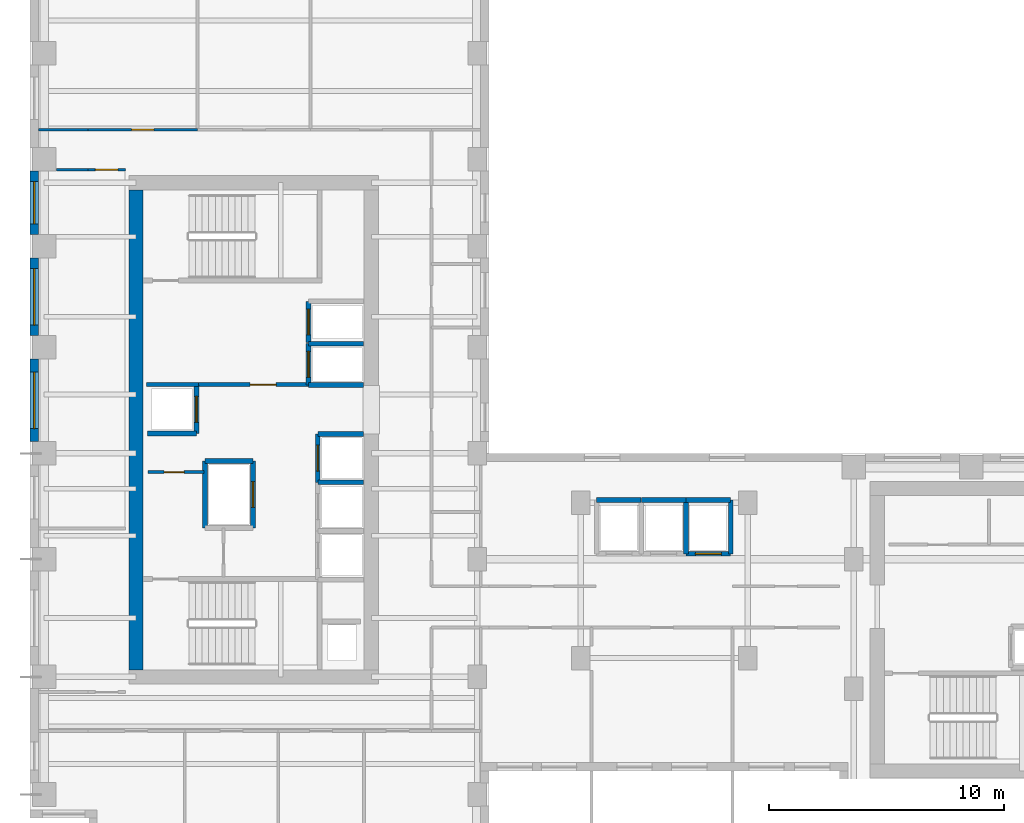
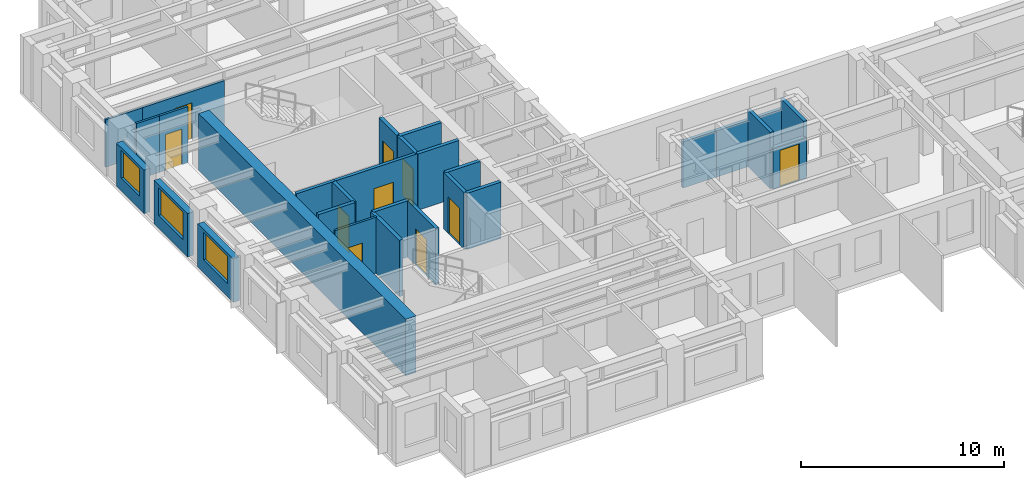
# One storey, part 5 of 11: 29 walls, 10 doors, 3 windows, 13 openings.
"""IFC4 building model written with IfcOpenShell, lengths in metres."""

from ifc_helpers import new_model, si_unit, direction, frame, frame_2d, origin, place, context, subcontext, project, spatial, rectangle, extrude, source, transform, mapped, material, layer, layer_set, type_object, element, fill, save


model = new_model("IFC4")

# Units and contexts
model_context = context("Model", 3, precision=1e-05, world=origin(), true_north=direction((0.0, 1.0)))
body_context = subcontext(model_context, "Body", "Model", "MODEL_VIEW")
ifc_project = project(units=[si_unit("LENGTHUNIT", "METRE"), si_unit("AREAUNIT", "SQUARE_METRE"), si_unit("VOLUMEUNIT", "CUBIC_METRE"), si_unit("PLANEANGLEUNIT", "RADIAN"), si_unit("MASSUNIT", "GRAM", prefix="KILO")], contexts=[model_context])

# Site, building, storey
site_placement = place(None, origin())
site = spatial("IfcSite", under=ifc_project, at=site_placement, CompositionType="ELEMENT")
building_placement = place(site_placement, origin())
building = spatial("IfcBuilding", under=site, at=building_placement, Name="Kharzan Plaza Tower", CompositionType="ELEMENT")
storey_placement = place(building_placement, frame((0.0, 0.0, 150.300048828125)))
storey = spatial("IfcBuildingStorey", under=building, at=storey_placement, Name="L40", CompositionType="ELEMENT", Elevation=150.300048828125)

# Wall, opening, window
ifc_material_1 = material(Name="Concrete C40/50", Category="concrete")
ifc_layer_1 = layer(ifc_material_1, 0.35009765625)
ifc_layer_set_1 = layer_set([ifc_layer_1], Name="Concrete C40/50")
wall_type_1 = type_object("IfcWallType", Name="WL-EXT-MAS-Z3", PredefinedType="SOLIDWALL", material=ifc_layer_set_1)
wall_1_placement = place(storey_placement, frame((0.175048828125, 30.001953125, 0.0), z_axis=(0.0, 0.0, 1.0), x_axis=(0.0, -1.0, 0.0)))
wall_1 = element("IfcWall", 1, at=wall_1_placement, inside=storey, type_object=wall_type_1, Name="L40 Masonry-Frame Exterior Wall 12", PredefinedType="SOLIDWALL", context=body_context, shape_type="SweptSolid", body=[
    extrude(rectangle(XDim=2.703857421875, YDim=0.35009765625, at=frame_2d((1.35205078125, 0.0))), origin(), (0.0, 0.0, 1.0), 2.612060546875),
])
opening_1_placement = place(wall_1_placement, frame((0.451904296875, 0.0, 0.780029296875)))
opening_1 = element("IfcOpeningElement", 2, at=opening_1_placement, cuts=wall_1, Name="Opening W1", PredefinedType="OPENING", context=body_context, shape_type="SweptSolid", body=[
    extrude(rectangle(XDim=1.800048828125, YDim=1.652099609375, at=frame_2d((0.89990234375, 0.826171875))), frame((0.0, 0.18505859375, 0.0), z_axis=(0.0, -1.0, 0.0), x_axis=(1.0, 0.0, 0.0)), (0.0, 0.0, 1.0), 0.3701171875),
])
ifc_material_2 = material(Name="Low-E Double Glazing", Category="glass")
window_type_1 = type_object("IfcWindowType", Name="WN-REC-1800x2100", PartitioningType="SINGLE_PANEL", PredefinedType="WINDOW", material=ifc_material_2)
shared_shape_1 = source(origin(), body_context, "Body", "SweptSolid", [
    extrude(rectangle(XDim=1.800048828125, YDim=1.652099609375, at=frame_2d((0.89990234375, 0.826171875))), frame((0.0, 0.030029296875, 0.0), z_axis=(0.0, -1.0, 0.0), x_axis=(1.0, 0.0, 0.0)), (0.0, 0.0, 1.0), 0.06005859375),
])
window_1_placement = place(opening_1_placement, origin())
window_1 = element("IfcWindow", 3, at=window_1_placement, inside=storey, type_object=window_type_1, Name="L40 Recessed Solar-Control Window 12-1", OverallHeight=1.652099609375, OverallWidth=1.800048828125, PartitioningType="SINGLE_PANEL", PredefinedType="WINDOW", context=body_context, shape_type="MappedRepresentation", body=[
    mapped(shared_shape_1, transform((0.0, 0.0, 0.0), x_axis=(1.0, 0.0, 0.0), y_axis=(0.0, 1.0, 0.0), z_axis=(0.0, 0.0, 1.0))),
])
fill(opening_1, window_1)

wall_2_placement = place(storey_placement, frame((0.175048828125, 26.302001953125, 0.0), z_axis=(0.0, 0.0, 1.0), x_axis=(0.0, -1.0, 0.0)))
wall_2 = element("IfcWall", 4, at=wall_2_placement, inside=storey, type_object=wall_type_1, Name="L40 Masonry-Frame Exterior Wall 13", PredefinedType="SOLIDWALL", context=body_context, shape_type="SweptSolid", body=[
    extrude(rectangle(XDim=3.303955078125, YDim=0.35009765625, at=frame_2d((1.65185546875, 0.0))), origin(), (0.0, 0.0, 1.0), 2.612060546875),
])
opening_2_placement = place(wall_2_placement, frame((0.451904296875, 0.0, 0.780029296875)))
opening_2 = element("IfcOpeningElement", 5, at=opening_2_placement, cuts=wall_2, Name="Opening W2", PredefinedType="OPENING", context=body_context, shape_type="SweptSolid", body=[
    extrude(rectangle(XDim=2.39990234375, YDim=1.652099609375, at=frame_2d((1.199951171875, 0.826171875))), frame((0.0, 0.18505859375, 0.0), z_axis=(0.0, -1.0, 0.0), x_axis=(1.0, 0.0, 0.0)), (0.0, 0.0, 1.0), 0.3701171875),
])
window_type_2 = type_object("IfcWindowType", Name="WN-REC-2400x2100", PartitioningType="SINGLE_PANEL", PredefinedType="WINDOW", material=ifc_material_2)
shared_shape_2 = source(origin(), body_context, "Body", "SweptSolid", [
    extrude(rectangle(XDim=2.39990234375, YDim=1.652099609375, at=frame_2d((1.199951171875, 0.826171875))), frame((0.0, 0.030029296875, 0.0), z_axis=(0.0, -1.0, 0.0), x_axis=(1.0, 0.0, 0.0)), (0.0, 0.0, 1.0), 0.06005859375),
])
window_2_placement = place(opening_2_placement, origin())
window_2 = element("IfcWindow", 6, at=window_2_placement, inside=storey, type_object=window_type_2, Name="L40 Wide Recessed Solar-Control Window 13-1", OverallHeight=1.652099609375, OverallWidth=2.39990234375, PartitioningType="SINGLE_PANEL", PredefinedType="WINDOW", context=body_context, shape_type="MappedRepresentation", body=[
    mapped(shared_shape_2, transform((0.0, 0.0, 0.0), x_axis=(1.0, 0.0, 0.0), y_axis=(0.0, 1.0, 0.0), z_axis=(0.0, 0.0, 1.0))),
])
fill(opening_2, window_2)

wall_3_placement = place(storey_placement, frame((0.175048828125, 22.001953125, 0.0), z_axis=(0.0, 0.0, 1.0), x_axis=(0.0, -1.0, 0.0)))
wall_3 = element("IfcWall", 7, at=wall_3_placement, inside=storey, type_object=wall_type_1, Name="L40 Masonry-Frame Exterior Wall 14", PredefinedType="SOLIDWALL", context=body_context, shape_type="SweptSolid", body=[
    extrude(rectangle(XDim=3.50390625, YDim=0.35009765625, at=frame_2d((1.751953125, 0.0))), origin(), (0.0, 0.0, 1.0), 2.612060546875),
])
opening_3_placement = place(wall_3_placement, frame((0.552001953125, 0.0, 0.780029296875)))
opening_3 = element("IfcOpeningElement", 8, at=opening_3_placement, cuts=wall_3, Name="Opening W2", PredefinedType="OPENING", context=body_context, shape_type="SweptSolid", body=[
    extrude(rectangle(XDim=2.39990234375, YDim=1.652099609375, at=frame_2d((1.199951171875, 0.826171875))), frame((0.0, 0.18505859375, 0.0), z_axis=(0.0, -1.0, 0.0), x_axis=(1.0, 0.0, 0.0)), (0.0, 0.0, 1.0), 0.3701171875),
])
window_3_placement = place(opening_3_placement, origin())
window_3 = element("IfcWindow", 9, at=window_3_placement, inside=storey, type_object=window_type_2, Name="L40 Wide Recessed Solar-Control Window 14-1", OverallHeight=1.652099609375, OverallWidth=2.39990234375, PartitioningType="SINGLE_PANEL", PredefinedType="WINDOW", context=body_context, shape_type="MappedRepresentation", body=[
    mapped(shared_shape_2, transform((0.0, 0.0, 0.0), x_axis=(1.0, 0.0, 0.0), y_axis=(0.0, 1.0, 0.0), z_axis=(0.0, 0.0, 1.0))),
])
fill(opening_3, window_3)

# Wall, opening, door
ifc_layer_2 = layer(ifc_material_1, 0.179931640625)
ifc_layer_set_2 = layer_set([ifc_layer_2], Name="Concrete C40/50")
wall_type_2 = type_object("IfcWallType", Name="WL-INT-FIRE-180", PredefinedType="PARTITIONING", material=ifc_layer_set_2)
wall_4_placement = place(storey_placement, frame((7.14990234375, 20.919921875, 0.0), z_axis=(0.0, 0.0, 1.0), x_axis=(1.0, 0.0, 0.0)))
wall_4 = element("IfcWall", 10, at=wall_4_placement, inside=storey, type_object=wall_type_2, Name="L40 Interior Partition CA-FF-S", PredefinedType="PARTITIONING", context=body_context, shape_type="SweptSolid", body=[
    extrude(rectangle(XDim=4.68017578125, YDim=0.179931640625, at=frame_2d((2.340087890625, 0.0))), origin(), (0.0, 0.0, 1.0), 3.385009765625),
])
opening_4_placement = place(wall_4_placement, frame((2.199951171875, 0.0, 0.0)))
opening_4 = element("IfcOpeningElement", 11, at=opening_4_placement, cuts=wall_4, Name="Opening FD1", PredefinedType="OPENING", context=body_context, shape_type="SweptSolid", body=[
    extrude(rectangle(XDim=1.10009765625, YDim=2.14990234375, at=frame_2d((0.550048828125, 1.074951171875))), frame((0.0, 0.099853515625, 0.0), z_axis=(0.0, -1.0, 0.0), x_axis=(1.0, 0.0, 0.0)), (0.0, 0.0, 1.0), 0.199951171875),
])
ifc_material_3 = material(Name="Fire-Rated Acoustic Vision-Panel Steel", Category="steel")
door_type_1 = type_object("IfcDoorType", Name="DR-FIRE-LOBBY", OperationType="NOTDEFINED", PredefinedType="DOOR", material=ifc_material_3)
shared_shape_3 = source(origin(), body_context, "Body", "SweptSolid", [
    extrude(rectangle(XDim=1.10009765625, YDim=2.14990234375, at=frame_2d((0.550048828125, 1.074951171875))), frame((0.0, 0.02490234375, 0.0), z_axis=(0.0, -1.0, 0.0), x_axis=(1.0, 0.0, 0.0)), (0.0, 0.0, 1.0), 0.050048828125),
])
door_1_placement = place(opening_4_placement, origin())
door_1 = element("IfcDoor", 12, at=door_1_placement, inside=storey, type_object=door_type_1, Name="L40 Firefighting Lobby Door", OperationType="SINGLE_SWING_RIGHT", OverallHeight=2.14990234375, OverallWidth=1.10009765625, PredefinedType="DOOR", context=body_context, shape_type="MappedRepresentation", body=[
    mapped(shared_shape_3, transform((0.0, 0.0, 0.0), x_axis=(1.0, 0.0, 0.0), y_axis=(0.0, 1.0, 0.0), z_axis=(0.0, 0.0, 1.0))),
])
fill(opening_4, door_1)

ifc_material_4 = material(Name="Fire-Rated Gypsum Board Partition", Category="gypsum")
ifc_layer_3 = layer(ifc_material_4, 0.125)
ifc_layer_set_3 = layer_set([ifc_layer_3], Name="Fire-Rated Gypsum Board Partition")
wall_type_3 = type_object("IfcWallType", Name="WL-INT-PART-125", PredefinedType="PARTITIONING", material=ifc_layer_set_3)
wall_5_placement = place(storey_placement, frame((5.0, 17.199951171875, 0.0), z_axis=(0.0, 0.0, 1.0), x_axis=(1.0, 0.0, 0.0)))
wall_5 = element("IfcWall", 13, at=wall_5_placement, inside=storey, type_object=wall_type_3, Name="L40 Interior Partition CA-K1N2", PredefinedType="PARTITIONING", context=body_context, shape_type="SweptSolid", body=[
    extrude(rectangle(XDim=2.39990234375, YDim=0.125, at=frame_2d((1.199951171875, 0.0))), origin(), (0.0, 0.0, 1.0), 3.385009765625),
])
opening_5_placement = place(wall_5_placement, frame((0.699951171875, 0.0, 0.0)))
opening_5 = element("IfcOpeningElement", 14, at=opening_5_placement, cuts=wall_5, Name="Opening RD1", PredefinedType="OPENING", context=body_context, shape_type="SweptSolid", body=[
    extrude(rectangle(XDim=0.85009765625, YDim=2.10009765625, at=frame_2d((0.425048828125, 1.050048828125))), frame((0.0, 0.072509765625, 0.0), z_axis=(0.0, -1.0, 0.0), x_axis=(1.0, 0.0, 0.0)), (0.0, 0.0, 1.0), 0.14501953125),
])
ifc_material_5 = material(Name="Powder-Coated Fire-Rated Steel", Category="steel")
door_type_2 = type_object("IfcDoorType", Name="DR-RISER-900", OperationType="NOTDEFINED", PredefinedType="DOOR", material=ifc_material_5)
shared_shape_4 = source(origin(), body_context, "Body", "SweptSolid", [
    extrude(rectangle(XDim=0.85009765625, YDim=2.10009765625, at=frame_2d((0.425048828125, 1.050048828125))), frame((0.0, 0.02490234375, 0.0), z_axis=(0.0, -1.0, 0.0), x_axis=(1.0, 0.0, 0.0)), (0.0, 0.0, 1.0), 0.050048828125),
])
door_2_placement = place(opening_5_placement, origin())
door_2 = element("IfcDoor", 15, at=door_2_placement, inside=storey, type_object=door_type_2, Name="L40 Core Storage Room Door", OperationType="SINGLE_SWING_LEFT", OverallHeight=2.10009765625, OverallWidth=0.85009765625, PredefinedType="DOOR", context=body_context, shape_type="MappedRepresentation", body=[
    mapped(shared_shape_4, transform((0.0, 0.0, 0.0), x_axis=(1.0, 0.0, 0.0), y_axis=(0.0, 1.0, 0.0), z_axis=(0.0, 0.0, 1.0))),
])
fill(opening_5, door_2)

wall_6_placement = place(storey_placement, frame((2.449951171875, 31.75, 0.0), z_axis=(0.0, 0.0, 1.0), x_axis=(1.0, 0.0, 0.0)))
wall_6 = element("IfcWall", 16, at=wall_6_placement, inside=storey, type_object=wall_type_3, Name="L40 Interior Partition SH-NN-1", PredefinedType="PARTITIONING", context=body_context, shape_type="SweptSolid", body=[
    extrude(rectangle(XDim=4.671142578125, YDim=0.125, at=frame_2d((2.33544921875, 0.0))), origin(), (0.0, 0.0, 1.0), 2.847900390625),
])
opening_6_placement = place(wall_6_placement, frame((1.860595703125, 0.0, 0.0)))
opening_6 = element("IfcOpeningElement", 17, at=opening_6_placement, cuts=wall_6, Name="Opening OD1", PredefinedType="OPENING", context=body_context, shape_type="SweptSolid", body=[
    extrude(rectangle(XDim=0.949951171875, YDim=2.14990234375, at=frame_2d((0.47509765625, 1.074951171875))), frame((0.0, 0.072509765625, 0.0), z_axis=(0.0, -1.0, 0.0), x_axis=(1.0, 0.0, 0.0)), (0.0, 0.0, 1.0), 0.14501953125),
])
ifc_material_6 = material(Name="Acoustic Solid-Core Stained Oak", Category="timber")
door_type_3 = type_object("IfcDoorType", Name="DR-OFF-SINGLE", OperationType="NOTDEFINED", PredefinedType="DOOR", material=ifc_material_6)
shared_shape_5 = source(origin(), body_context, "Body", "SweptSolid", [
    extrude(rectangle(XDim=0.949951171875, YDim=2.14990234375, at=frame_2d((0.47509765625, 1.074951171875))), frame((0.0, 0.02490234375, 0.0), z_axis=(0.0, -1.0, 0.0), x_axis=(1.0, 0.0, 0.0)), (0.0, 0.0, 1.0), 0.050048828125),
])
door_3_placement = place(opening_6_placement, origin())
door_3 = element("IfcDoor", 18, at=door_3_placement, inside=storey, type_object=door_type_3, Name="L40 Naval Engineering Studio Door", OperationType="SINGLE_SWING_RIGHT", OverallHeight=2.14990234375, OverallWidth=0.949951171875, PredefinedType="DOOR", context=body_context, shape_type="MappedRepresentation", body=[
    mapped(shared_shape_5, transform((0.0, 0.0, 0.0), x_axis=(1.0, 0.0, 0.0), y_axis=(0.0, 1.0, 0.0), z_axis=(0.0, 0.0, 1.0))),
])
fill(opening_6, door_3)

wall_7_placement = place(storey_placement, frame((2.449951171875, 30.050048828125, 0.0), z_axis=(0.0, 0.0, 1.0), x_axis=(1.0, 0.0, 0.0)))
wall_7 = element("IfcWall", 19, at=wall_7_placement, inside=storey, type_object=wall_type_3, Name="L40 Interior Partition SH-RWND", PredefinedType="PARTITIONING", context=body_context, shape_type="SweptSolid", body=[
    extrude(rectangle(XDim=1.60009765625, YDim=0.125, at=frame_2d((0.800048828125, 0.0))), origin(), (0.0, 0.0, 1.0), 3.385009765625),
])
opening_7_placement = place(wall_7_placement, frame((0.324951171875, 0.0, 0.0)))
opening_7 = element("IfcOpeningElement", 20, at=opening_7_placement, cuts=wall_7, Name="Opening OD1", PredefinedType="OPENING", context=body_context, shape_type="SweptSolid", body=[
    extrude(rectangle(XDim=0.949951171875, YDim=2.14990234375, at=frame_2d((0.47509765625, 1.074951171875))), frame((0.0, 0.072509765625, 0.0), z_axis=(0.0, -1.0, 0.0), x_axis=(1.0, 0.0, 0.0)), (0.0, 0.0, 1.0), 0.14501953125),
])
door_4_placement = place(opening_7_placement, origin())
door_4 = element("IfcDoor", 21, at=door_4_placement, inside=storey, type_object=door_type_3, Name="L40 West Office 2 Door", OperationType="SINGLE_SWING_LEFT", OverallHeight=2.14990234375, OverallWidth=0.949951171875, PredefinedType="DOOR", context=body_context, shape_type="MappedRepresentation", body=[
    mapped(shared_shape_5, transform((0.0, 0.0, 0.0), x_axis=(1.0, 0.0, 0.0), y_axis=(0.0, 1.0, 0.0), z_axis=(0.0, 0.0, 1.0))),
])
fill(opening_7, door_4)

ifc_layer_4 = layer(ifc_material_1, 0.199951171875)
ifc_layer_set_4 = layer_set([ifc_layer_4], Name="Concrete C40/50")
wall_type_4 = type_object("IfcWallType", Name="WL-INT-SHAFT-200", PredefinedType="PARTITIONING", material=ifc_layer_set_4)
wall_8_placement = place(storey_placement, frame((11.830078125, 20.89990234375, 0.0), z_axis=(0.0, 0.0, 1.0), x_axis=(0.0, 1.0, 0.0)))
wall_8 = element("IfcWall", 22, at=wall_8_placement, inside=storey, type_object=wall_type_4, Name="L40 Interior Partition SHF-FFL-1-W", PredefinedType="PARTITIONING", context=body_context, shape_type="SweptSolid", body=[
    extrude(rectangle(XDim=1.760009765625, YDim=0.199951171875, at=frame_2d((0.8798828125, 0.0))), origin(), (0.0, 0.0, 1.0), 3.385009765625),
])
opening_8_placement = place(wall_8_placement, frame((0.330078125, 0.0, 0.0)))
opening_8 = element("IfcOpeningElement", 23, at=opening_8_placement, cuts=wall_8, Name="Opening LD", PredefinedType="OPENING", context=body_context, shape_type="SweptSolid", body=[
    extrude(rectangle(XDim=1.10009765625, YDim=2.199951171875, at=frame_2d((0.550048828125, 1.10009765625))), frame((0.0, 0.10986328125, 0.0), z_axis=(0.0, -1.0, 0.0), x_axis=(1.0, 0.0, 0.0)), (0.0, 0.0, 1.0), 0.219970703125),
])
ifc_material_7 = material(Name="Brushed Stainless Steel", Category="steel")
door_type_4 = type_object("IfcDoorType", Name="DR-LIFT-SLIDE", OperationType="SLIDING_TO_LEFT", PredefinedType="DOOR", material=ifc_material_7)
shared_shape_6 = source(origin(), body_context, "Body", "SweptSolid", [
    extrude(rectangle(XDim=1.10009765625, YDim=2.199951171875, at=frame_2d((0.550048828125, 1.10009765625))), frame((0.0, 0.02490234375, 0.0), z_axis=(0.0, -1.0, 0.0), x_axis=(1.0, 0.0, 0.0)), (0.0, 0.0, 1.0), 0.050048828125),
])
door_5_placement = place(opening_8_placement, origin())
door_5 = element("IfcDoor", 24, at=door_5_placement, inside=storey, type_object=door_type_4, Name="L40 Firefighting Lift FFL-1 Sliding Landing Door", OperationType="SLIDING_TO_LEFT", OverallHeight=2.199951171875, OverallWidth=1.10009765625, PredefinedType="DOOR", context=body_context, shape_type="MappedRepresentation", body=[
    mapped(shared_shape_6, transform((0.0, 0.0, 0.0), x_axis=(1.0, 0.0, 0.0), y_axis=(0.0, 1.0, 0.0), z_axis=(0.0, 0.0, 1.0))),
])
fill(opening_8, door_5)

wall_9_placement = place(storey_placement, frame((11.830078125, 22.699951171875, 0.0), z_axis=(0.0, 0.0, 1.0), x_axis=(0.0, 1.0, 0.0)))
wall_9 = element("IfcWall", 25, at=wall_9_placement, inside=storey, type_object=wall_type_4, Name="L40 Interior Partition SHF-FFL-2-W", PredefinedType="PARTITIONING", context=body_context, shape_type="SweptSolid", body=[
    extrude(rectangle(XDim=1.760009765625, YDim=0.199951171875, at=frame_2d((0.8798828125, 0.0))), origin(), (0.0, 0.0, 1.0), 3.385009765625),
])
opening_9_placement = place(wall_9_placement, frame((0.330078125, 0.0, 0.0)))
opening_9 = element("IfcOpeningElement", 26, at=opening_9_placement, cuts=wall_9, Name="Opening LD", PredefinedType="OPENING", context=body_context, shape_type="SweptSolid", body=[
    extrude(rectangle(XDim=1.10009765625, YDim=2.199951171875, at=frame_2d((0.550048828125, 1.10009765625))), frame((0.0, 0.10986328125, 0.0), z_axis=(0.0, -1.0, 0.0), x_axis=(1.0, 0.0, 0.0)), (0.0, 0.0, 1.0), 0.219970703125),
])
door_6_placement = place(opening_9_placement, origin())
door_6 = element("IfcDoor", 27, at=door_6_placement, inside=storey, type_object=door_type_4, Name="L40 Firefighting Lift FFL-2 Sliding Landing Door", OperationType="SLIDING_TO_LEFT", OverallHeight=2.199951171875, OverallWidth=1.10009765625, PredefinedType="DOOR", context=body_context, shape_type="MappedRepresentation", body=[
    mapped(shared_shape_6, transform((0.0, 0.0, 0.0), x_axis=(1.0, 0.0, 0.0), y_axis=(0.0, 1.0, 0.0), z_axis=(0.0, 0.0, 1.0))),
])
fill(opening_9, door_6)

wall_10_placement = place(storey_placement, frame((12.22998046875, 16.77001953125, 0.0), z_axis=(0.0, 0.0, 1.0), x_axis=(0.0, 1.0, 0.0)))
wall_10 = element("IfcWall", 28, at=wall_10_placement, inside=storey, type_object=wall_type_4, Name="L40 Interior Partition SHF-PL-H3-W", PredefinedType="PARTITIONING", context=body_context, shape_type="SweptSolid", body=[
    extrude(rectangle(XDim=2.050048828125, YDim=0.199951171875, at=frame_2d((1.02490234375, 0.0))), origin(), (0.0, 0.0, 1.0), 3.385009765625),
])
opening_10_placement = place(wall_10_placement, frame((0.47509765625, 0.0, 0.0)))
opening_10 = element("IfcOpeningElement", 29, at=opening_10_placement, cuts=wall_10, Name="Opening LD", PredefinedType="OPENING", context=body_context, shape_type="SweptSolid", body=[
    extrude(rectangle(XDim=1.10009765625, YDim=2.199951171875, at=frame_2d((0.550048828125, 1.10009765625))), frame((0.0, 0.10986328125, 0.0), z_axis=(0.0, -1.0, 0.0), x_axis=(1.0, 0.0, 0.0)), (0.0, 0.0, 1.0), 0.219970703125),
])
door_7_placement = place(opening_10_placement, origin())
door_7 = element("IfcDoor", 30, at=door_7_placement, inside=storey, type_object=door_type_4, Name="L40 High-Rise Passenger Lift PL-H3 Sliding Landing Door", OperationType="SLIDING_TO_LEFT", OverallHeight=2.199951171875, OverallWidth=1.10009765625, PredefinedType="DOOR", context=body_context, shape_type="MappedRepresentation", body=[
    mapped(shared_shape_6, transform((0.0, 0.0, 0.0), x_axis=(1.0, 0.0, 0.0), y_axis=(0.0, 1.0, 0.0), z_axis=(0.0, 0.0, 1.0))),
])
fill(opening_10, door_7)

wall_11_placement = place(storey_placement, frame((7.070068359375, 18.840087890625, 0.0), z_axis=(0.0, 0.0, 1.0), x_axis=(0.0, 1.0, 0.0)))
wall_11 = element("IfcWall", 31, at=wall_11_placement, inside=storey, type_object=wall_type_4, Name="L40 Interior Partition SHF-PL-H4-E", PredefinedType="PARTITIONING", context=body_context, shape_type="SweptSolid", body=[
    extrude(rectangle(XDim=2.059814453125, YDim=0.199951171875, at=frame_2d((1.02978515625, 0.0))), origin(), (0.0, 0.0, 1.0), 3.385009765625),
])
opening_11_placement = place(wall_11_placement, frame((0.47998046875, 0.0, 0.0)))
opening_11 = element("IfcOpeningElement", 32, at=opening_11_placement, cuts=wall_11, Name="Opening LD", PredefinedType="OPENING", context=body_context, shape_type="SweptSolid", body=[
    extrude(rectangle(XDim=1.10009765625, YDim=2.199951171875, at=frame_2d((0.550048828125, 1.10009765625))), frame((0.0, 0.10986328125, 0.0), z_axis=(0.0, -1.0, 0.0), x_axis=(1.0, 0.0, 0.0)), (0.0, 0.0, 1.0), 0.219970703125),
])
door_8_placement = place(opening_11_placement, origin())
door_8 = element("IfcDoor", 33, at=door_8_placement, inside=storey, type_object=door_type_4, Name="L40 High-Rise Passenger Lift PL-H4 Sliding Landing Door", OperationType="SLIDING_TO_LEFT", OverallHeight=2.199951171875, OverallWidth=1.10009765625, PredefinedType="DOOR", context=body_context, shape_type="MappedRepresentation", body=[
    mapped(shared_shape_6, transform((0.0, 0.0, 0.0), x_axis=(1.0, 0.0, 0.0), y_axis=(0.0, 1.0, 0.0), z_axis=(0.0, 0.0, 1.0))),
])
fill(opening_11, door_8)

wall_12_placement = place(storey_placement, frame((27.8798828125, 13.72998046875, 0.0), z_axis=(0.0, 0.0, 1.0), x_axis=(1.0, 0.0, 0.0)))
wall_12 = element("IfcWall", 34, at=wall_12_placement, inside=storey, type_object=wall_type_4, Name="L40 Interior Partition SHF-PL-M3-S", PredefinedType="PARTITIONING", context=body_context, shape_type="SweptSolid", body=[
    extrude(rectangle(XDim=1.89013671875, YDim=0.199951171875, at=frame_2d((0.945068359375, 0.0))), origin(), (0.0, 0.0, 1.0), 2.466064453125),
])
opening_12_placement = place(wall_12_placement, frame((0.39501953125, 0.0, 0.0)))
opening_12 = element("IfcOpeningElement", 35, at=opening_12_placement, cuts=wall_12, Name="Opening LD", PredefinedType="OPENING", context=body_context, shape_type="SweptSolid", body=[
    extrude(rectangle(XDim=1.10009765625, YDim=2.199951171875, at=frame_2d((0.550048828125, 1.10009765625))), frame((0.0, 0.10986328125, 0.0), z_axis=(0.0, -1.0, 0.0), x_axis=(1.0, 0.0, 0.0)), (0.0, 0.0, 1.0), 0.219970703125),
])
door_9_placement = place(opening_12_placement, origin())
door_9 = element("IfcDoor", 36, at=door_9_placement, inside=storey, type_object=door_type_4, Name="L40 Mid-Rise Passenger Lift PL-M3 Sliding Landing Door", OperationType="SLIDING_TO_LEFT", OverallHeight=2.199951171875, OverallWidth=1.10009765625, PredefinedType="DOOR", context=body_context, shape_type="MappedRepresentation", body=[
    mapped(shared_shape_6, transform((0.0, 0.0, 0.0), x_axis=(1.0, 0.0, 0.0), y_axis=(0.0, 1.0, 0.0), z_axis=(0.0, 0.0, 1.0))),
])
fill(opening_12, door_9)

wall_13_placement = place(storey_placement, frame((9.469970703125, 14.830078125, 0.0), z_axis=(0.0, 0.0, 1.0), x_axis=(0.0, 1.0, 0.0)))
wall_13 = element("IfcWall", 37, at=wall_13_placement, inside=storey, type_object=wall_type_4, Name="L40 Interior Partition SHF-SVL-1-E", PredefinedType="PARTITIONING", context=body_context, shape_type="SweptSolid", body=[
    extrude(rectangle(XDim=2.83984375, YDim=0.199951171875, at=frame_2d((1.419921875, 0.0))), origin(), (0.0, 0.0, 1.0), 3.385009765625),
])
opening_13_placement = place(wall_13_placement, frame((0.8701171875, 0.0, 0.0)))
opening_13 = element("IfcOpeningElement", 38, at=opening_13_placement, cuts=wall_13, Name="Opening LD", PredefinedType="OPENING", context=body_context, shape_type="SweptSolid", body=[
    extrude(rectangle(XDim=1.10009765625, YDim=2.199951171875, at=frame_2d((0.550048828125, 1.10009765625))), frame((0.0, 0.10986328125, 0.0), z_axis=(0.0, -1.0, 0.0), x_axis=(1.0, 0.0, 0.0)), (0.0, 0.0, 1.0), 0.219970703125),
])
door_10_placement = place(opening_13_placement, origin())
door_10 = element("IfcDoor", 39, at=door_10_placement, inside=storey, type_object=door_type_4, Name="L40 Service Lift SVL-1 Sliding Landing Door", OperationType="SLIDING_TO_LEFT", OverallHeight=2.199951171875, OverallWidth=1.10009765625, PredefinedType="DOOR", context=body_context, shape_type="MappedRepresentation", body=[
    mapped(shared_shape_6, transform((0.0, 0.0, 0.0), x_axis=(1.0, 0.0, 0.0), y_axis=(0.0, 1.0, 0.0), z_axis=(0.0, 0.0, 1.0))),
])
fill(opening_13, door_10)

# Walls
ifc_material_8 = material(Name="Concrete C50/60", Category="concrete")
ifc_layer_5 = layer(ifc_material_8, 0.60009765625)
ifc_layer_set_5 = layer_set([ifc_layer_5], Name="Concrete C50/60")
wall_type_5 = type_object("IfcWallType", Name="WL-CORE-600", PredefinedType="SHEAR", material=ifc_layer_set_5)
shared_shape_7 = source(origin(), body_context, "Body", "SweptSolid", [
    extrude(rectangle(XDim=20.39990234375, YDim=0.60009765625, at=frame_2d((10.199951171875, 0.0))), origin(), (0.0, 0.0, 1.0), 3.39990234375),
])
wall_14_placement = place(storey_placement, frame((4.5, 8.800048828125, 0.0), z_axis=(0.0, 0.0, 1.0), x_axis=(0.0, 1.0, 0.0)))
element("IfcWall", 40, at=wall_14_placement, inside=storey, type_object=wall_type_5, Name="L40 CORE-A west RC shear wall", PredefinedType="SHEAR", context=body_context, shape_type="MappedRepresentation", body=[
    mapped(shared_shape_7, transform((0.0, 0.0, 0.0), x_axis=(1.0, 0.0, 0.0), y_axis=(0.0, 1.0, 0.0), z_axis=(0.0, 0.0, 1.0))),
])
shared_shape_8 = source(origin(), body_context, "Body", "SweptSolid", [
    extrude(rectangle(XDim=2.199951171875, YDim=0.179931640625, at=frame_2d((1.10009765625, 0.0))), origin(), (0.0, 0.0, 1.0), 3.385009765625),
])
wall_15_placement = place(storey_placement, frame((4.949951171875, 20.919921875, 0.0), z_axis=(0.0, 0.0, 1.0), x_axis=(1.0, 0.0, 0.0)))
element("IfcWall", 41, at=wall_15_placement, inside=storey, type_object=wall_type_2, Name="L40 Interior Partition CA-FF-SW", PredefinedType="PARTITIONING", context=body_context, shape_type="MappedRepresentation", body=[
    mapped(shared_shape_8, transform((0.0, 0.0, 0.0), x_axis=(1.0, 0.0, 0.0), y_axis=(0.0, 1.0, 0.0), z_axis=(0.0, 0.0, 1.0))),
])
shared_shape_9 = source(origin(), body_context, "Body", "SweptSolid", [
    extrude(rectangle(XDim=2.097900390625, YDim=0.125, at=frame_2d((1.048828125, 0.0))), origin(), (0.0, 0.0, 1.0), 2.847900390625),
])
wall_16_placement = place(storey_placement, frame((0.35205078125, 31.75, 0.0), z_axis=(0.0, 0.0, 1.0), x_axis=(1.0, 0.0, 0.0)))
element("IfcWall", 42, at=wall_16_placement, inside=storey, type_object=wall_type_3, Name="L40 Interior Partition SH-NNW0", PredefinedType="PARTITIONING", context=body_context, shape_type="MappedRepresentation", body=[
    mapped(shared_shape_9, transform((0.0, 0.0, 0.0), x_axis=(1.0, 0.0, 0.0), y_axis=(0.0, 1.0, 0.0), z_axis=(0.0, 0.0, 1.0))),
])
shared_shape_10 = source(origin(), body_context, "Body", "SweptSolid", [
    extrude(rectangle(XDim=2.33984375, YDim=0.199951171875, at=frame_2d((1.169921875, 0.0))), origin(), (0.0, 0.0, 1.0), 3.385009765625),
])
for number, where, z_axis, x_axis, name in (
    (43, (11.830078125, 22.659912109375, 0.0), (0.0, 0.0, 1.0), (1.0, 0.0, 0.0), "L40 Interior Partition SHF-FFL-1-N"),
    (44, (11.830078125, 20.89990234375, 0.0), (0.0, 0.0, 1.0), (1.0, 0.0, 0.0), "L40 Interior Partition SHF-FFL-1-S"),
):
    element("IfcWall", number, at=place(storey_placement, frame(where, z_axis=z_axis, x_axis=x_axis)), inside=storey, type_object=wall_type_4, Name=name, PredefinedType="PARTITIONING", context=body_context, shape_type="MappedRepresentation", body=[
        mapped(shared_shape_10, transform((0.0, 0.0, 0.0), x_axis=(1.0, 0.0, 0.0), y_axis=(0.0, 1.0, 0.0), z_axis=(0.0, 0.0, 1.0))),
    ])
shared_shape_11 = source(origin(), body_context, "Body", "SweptSolid", [
    extrude(rectangle(XDim=1.93994140625, YDim=0.199951171875, at=frame_2d((0.969970703125, 0.0))), origin(), (0.0, 0.0, 1.0), 3.385009765625),
])
for number, where, z_axis, x_axis, name in (
    (45, (12.22998046875, 16.77001953125, 0.0), (0.0, 0.0, 1.0), (1.0, 0.0, 0.0), "L40 Interior Partition SHF-PL-H2-N"),
    (46, (12.22998046875, 18.820068359375, 0.0), (0.0, 0.0, 1.0), (1.0, 0.0, 0.0), "L40 Interior Partition SHF-PL-H3-N"),
):
    element("IfcWall", number, at=place(storey_placement, frame(where, z_axis=z_axis, x_axis=x_axis)), inside=storey, type_object=wall_type_4, Name=name, PredefinedType="PARTITIONING", context=body_context, shape_type="MappedRepresentation", body=[
        mapped(shared_shape_11, transform((0.0, 0.0, 0.0), x_axis=(1.0, 0.0, 0.0), y_axis=(0.0, 1.0, 0.0), z_axis=(0.0, 0.0, 1.0))),
    ])
shared_shape_12 = source(origin(), body_context, "Body", "SweptSolid", [
    extrude(rectangle(XDim=2.090087890625, YDim=0.199951171875, at=frame_2d((1.044921875, 0.0))), origin(), (0.0, 0.0, 1.0), 3.385009765625),
])
wall_17_placement = place(storey_placement, frame((4.97998046875, 18.840087890625, 0.0), z_axis=(0.0, 0.0, 1.0), x_axis=(1.0, 0.0, 0.0)))
element("IfcWall", 47, at=wall_17_placement, inside=storey, type_object=wall_type_4, Name="L40 Interior Partition SHF-PL-H4-S", PredefinedType="PARTITIONING", context=body_context, shape_type="MappedRepresentation", body=[
    mapped(shared_shape_12, transform((0.0, 0.0, 0.0), x_axis=(1.0, 0.0, 0.0), y_axis=(0.0, 1.0, 0.0), z_axis=(0.0, 0.0, 1.0))),
])
shared_shape_13 = source(origin(), body_context, "Body", "SweptSolid", [
    extrude(rectangle(XDim=2.2900390625, YDim=0.199951171875, at=frame_2d((1.14501953125, 0.0))), origin(), (0.0, 0.0, 1.0), 3.385009765625),
])
for number, where, z_axis, x_axis, name in (
    (48, (27.8701171875, 13.72998046875, 0.0), (0.0, 0.0, 1.0), (0.0, 1.0, 0.0), "L40 Interior Partition SHF-PL-M2-E"),
    (49, (29.77001953125, 13.72998046875, 0.0), (0.0, 0.0, 1.0), (0.0, 1.0, 0.0), "L40 Interior Partition SHF-PL-M3-E"),
):
    element("IfcWall", number, at=place(storey_placement, frame(where, z_axis=z_axis, x_axis=x_axis)), inside=storey, type_object=wall_type_4, Name=name, PredefinedType="PARTITIONING", context=body_context, shape_type="MappedRepresentation", body=[
        mapped(shared_shape_13, transform((0.0, 0.0, 0.0), x_axis=(1.0, 0.0, 0.0), y_axis=(0.0, 1.0, 0.0), z_axis=(0.0, 0.0, 1.0))),
    ])
shared_shape_14 = source(origin(), body_context, "Body", "SweptSolid", [
    extrude(rectangle(XDim=1.889892578125, YDim=0.199951171875, at=frame_2d((0.94482421875, 0.0))), origin(), (0.0, 0.0, 1.0), 2.77294921875),
])
wall_18_placement = place(storey_placement, frame((24.080078125, 16.02001953125, 0.0), z_axis=(0.0, 0.0, 1.0), x_axis=(1.0, 0.0, 0.0)))
element("IfcWall", 50, at=wall_18_placement, inside=storey, type_object=wall_type_4, Name="L40 Interior Partition SHF-PL-M1-N", PredefinedType="PARTITIONING", context=body_context, shape_type="MappedRepresentation", body=[
    mapped(shared_shape_14, transform((0.0, 0.0, 0.0), x_axis=(1.0, 0.0, 0.0), y_axis=(0.0, 1.0, 0.0), z_axis=(0.0, 0.0, 1.0))),
])
shared_shape_15 = source(origin(), body_context, "Body", "SweptSolid", [
    extrude(rectangle(XDim=1.89013671875, YDim=0.199951171875, at=frame_2d((0.945068359375, 0.0))), origin(), (0.0, 0.0, 1.0), 2.77294921875),
])
for number, where, z_axis, x_axis, name in (
    (51, (25.97998046875, 16.02001953125, 0.0), (0.0, 0.0, 1.0), (1.0, 0.0, 0.0), "L40 Interior Partition SHF-PL-M2-N"),
    (52, (27.8798828125, 16.02001953125, 0.0), (0.0, 0.0, 1.0), (1.0, 0.0, 0.0), "L40 Interior Partition SHF-PL-M3-N"),
):
    element("IfcWall", number, at=place(storey_placement, frame(where, z_axis=z_axis, x_axis=x_axis)), inside=storey, type_object=wall_type_4, Name=name, PredefinedType="PARTITIONING", context=body_context, shape_type="MappedRepresentation", body=[
        mapped(shared_shape_15, transform((0.0, 0.0, 0.0), x_axis=(1.0, 0.0, 0.0), y_axis=(0.0, 1.0, 0.0), z_axis=(0.0, 0.0, 1.0))),
    ])
shared_shape_16 = source(origin(), body_context, "Body", "SweptSolid", [
    extrude(rectangle(XDim=2.0400390625, YDim=0.199951171875, at=frame_2d((1.02001953125, 0.0))), origin(), (0.0, 0.0, 1.0), 3.385009765625),
])
wall_19_placement = place(storey_placement, frame((7.429931640625, 17.669921875, 0.0), z_axis=(0.0, 0.0, 1.0), x_axis=(1.0, 0.0, 0.0)))
element("IfcWall", 53, at=wall_19_placement, inside=storey, type_object=wall_type_4, Name="L40 Interior Partition SHF-SVL-1-N", PredefinedType="PARTITIONING", context=body_context, shape_type="MappedRepresentation", body=[
    mapped(shared_shape_16, transform((0.0, 0.0, 0.0), x_axis=(1.0, 0.0, 0.0), y_axis=(0.0, 1.0, 0.0), z_axis=(0.0, 0.0, 1.0))),
])
shared_shape_17 = source(origin(), body_context, "Body", "SweptSolid", [
    extrude(rectangle(XDim=2.83984375, YDim=0.199951171875, at=frame_2d((1.419921875, 0.0))), origin(), (0.0, 0.0, 1.0), 3.385009765625),
])
wall_20_placement = place(storey_placement, frame((7.429931640625, 14.830078125, 0.0), z_axis=(0.0, 0.0, 1.0), x_axis=(0.0, 1.0, 0.0)))
element("IfcWall", 54, at=wall_20_placement, inside=storey, type_object=wall_type_4, Name="L40 Interior Partition SHF-SVL-1-W", PredefinedType="PARTITIONING", context=body_context, shape_type="MappedRepresentation", body=[
    mapped(shared_shape_17, transform((0.0, 0.0, 0.0), x_axis=(1.0, 0.0, 0.0), y_axis=(0.0, 1.0, 0.0), z_axis=(0.0, 0.0, 1.0))),
])
shared_shape_18 = source(origin(), body_context, "Body", "SweptSolid", [
    extrude(rectangle(XDim=1.329833984375, YDim=0.125, at=frame_2d((0.6650390625, 0.0))), origin(), (0.0, 0.0, 1.0), 3.385009765625),
])
wall_21_placement = place(storey_placement, frame((1.1201171875, 30.050048828125, 0.0), z_axis=(0.0, 0.0, 1.0), x_axis=(1.0, 0.0, 0.0)))
element("IfcWall", 55, at=wall_21_placement, inside=storey, type_object=wall_type_3, Name="L40 Interior Partition SH-RWN0", PredefinedType="PARTITIONING", context=body_context, shape_type="MappedRepresentation", body=[
    mapped(shared_shape_18, transform((0.0, 0.0, 0.0), x_axis=(1.0, 0.0, 0.0), y_axis=(0.0, 1.0, 0.0), z_axis=(0.0, 0.0, 1.0))),
])

save(model, "model.ifc")
